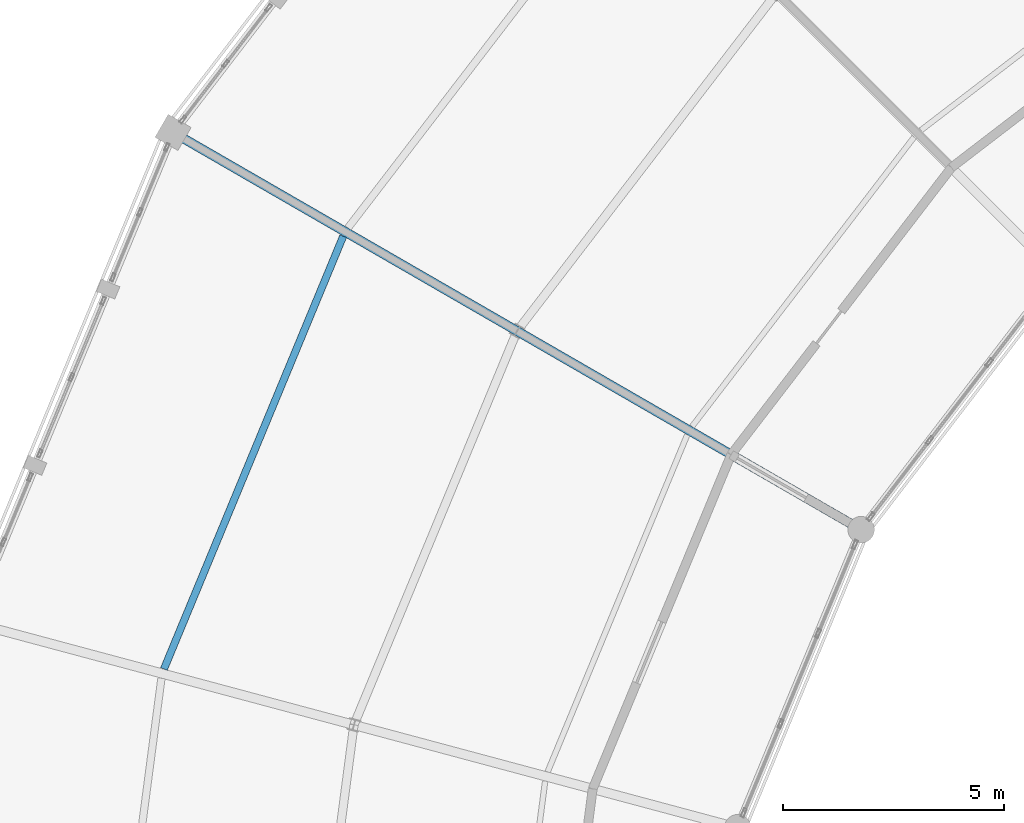
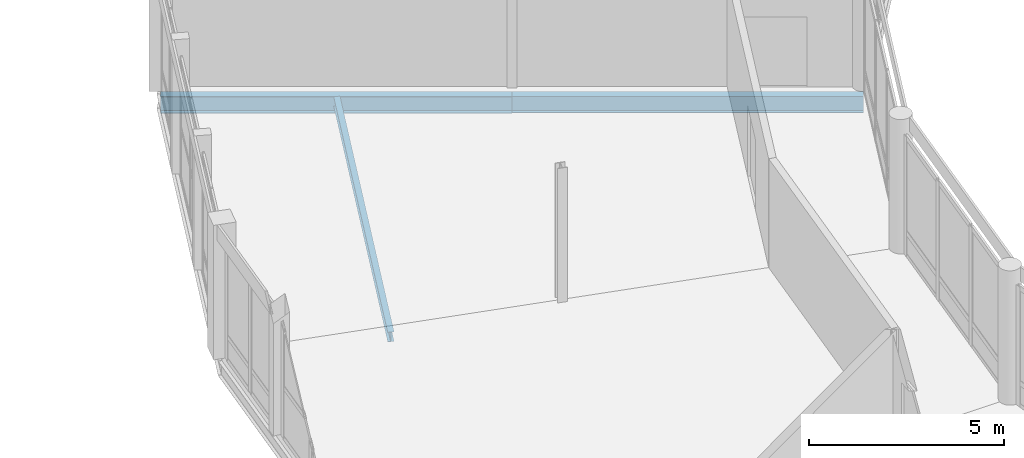
# One storey, part 76 of 185: 3 beams.
"""IFC4 building model written with IfcOpenShell, lengths in metres."""

from ifc_helpers import new_model, si_unit, direction, frame, origin, origin_2d, place, context, subcontext, project, spatial, i_section, extrude, material, material_profile, profile_set, type_object, element, save


model = new_model("IFC4")

# Units and contexts
model_context = context("Model", 3, precision=1e-05, world=origin(), true_north=direction((0.0, 1.0)))
body_context = subcontext(model_context, "Body", "Model", "MODEL_VIEW")
ifc_project = project(units=[si_unit("LENGTHUNIT", "METRE"), si_unit("AREAUNIT", "SQUARE_METRE"), si_unit("VOLUMEUNIT", "CUBIC_METRE"), si_unit("PLANEANGLEUNIT", "RADIAN"), si_unit("MASSUNIT", "GRAM", prefix="KILO")], contexts=[model_context])

# Site, building, storey
site_placement = place(None, origin())
site = spatial("IfcSite", under=ifc_project, at=site_placement, CompositionType="ELEMENT")
building_placement = place(site_placement, origin())
building = spatial("IfcBuilding", under=site, at=building_placement, Name="Vondelvale Polytechnic", CompositionType="ELEMENT")
storey_placement = place(building_placement, frame((0.0, 0.0, 9.60009765625)))
storey = spatial("IfcBuildingStorey", under=building, at=storey_placement, Name="L02", CompositionType="ELEMENT", Elevation=9.60009765625)

# Beams
ifc_material = material(Name="Steel 300PLUS (fy = 300 MPa)", Category="steel")
ifc_material_profile_1 = material_profile(ifc_material, i_section(OverallWidth=0.208984375, OverallDepth=0.532958984375, WebThickness=0.01025390625, FlangeThickness=0.015625, FilletRadius=0.013916015625, at=origin_2d()), Name="530UB92.4")
ifc_profile_set_1 = profile_set([ifc_material_profile_1], Name="Steel 300PLUS (fy = 300 MPa)")
beam_type_1 = type_object("IfcBeamType", Name="BM-UB530", PredefinedType="BEAM", material=ifc_profile_set_1)
beam_1_placement = place(storey_placement, frame((69.95703125, 90.5, -0.546630859375), z_axis=(-0.866024315419, 0.5000018851, 0.0), x_axis=(-0.5000018851, -0.866024315419, 0.0)))
element("IfcBeam", 1, at=beam_1_placement, inside=storey, type_object=beam_type_1, Name="L02 RG B-11", PredefinedType="BEAM", context=body_context, shape_type="SweptSolid", body=[
    extrude(i_section(OverallWidth=0.208984375, OverallDepth=0.532958984375, WebThickness=0.01025390625, FlangeThickness=0.015625, FilletRadius=0.013916015625, at=origin_2d()), origin(), (0.0, 0.0, 1.0), 9.0),
])
ifc_material_profile_2 = material_profile(ifc_material, i_section(OverallWidth=0.208984375, OverallDepth=0.528076171875, WebThickness=0.009521484375, FlangeThickness=0.01318359375, FilletRadius=0.013916015625, at=origin_2d()), Name="530UB82.0")
ifc_profile_set_2 = profile_set([ifc_material_profile_2], Name="Steel 300PLUS (fy = 300 MPa)")
beam_type_2 = type_object("IfcBeamType", Name="BM-UB530L", PredefinedType="BEAM", material=ifc_profile_set_2)
beam_2_placement = place(storey_placement, frame((77.751220703125, 86.0, -0.544189453125), z_axis=(-0.866024315419, 0.5000018851, 0.0), x_axis=(-0.5000018851, -0.866024315419, 0.0)))
element("IfcBeam", 2, at=beam_2_placement, inside=storey, type_object=beam_type_2, Name="L02 RG B-21", PredefinedType="BEAM", context=body_context, shape_type="SweptSolid", body=[
    extrude(i_section(OverallWidth=0.208984375, OverallDepth=0.528076171875, WebThickness=0.009521484375, FlangeThickness=0.01318359375, FilletRadius=0.013916015625, at=origin_2d()), origin(), (0.0, 0.0, 1.0), 9.0),
])
ifc_material_profile_3 = material_profile(ifc_material, i_section(OverallWidth=0.1650390625, OverallDepth=0.303955078125, WebThickness=0.006103515625, FlangeThickness=0.01025390625, FilletRadius=0.011474609375, at=origin_2d()), Name="310UB40.4")
ifc_profile_set_3 = profile_set([ifc_material_profile_3], Name="Steel 300PLUS (fy = 300 MPa)")
beam_type_3 = type_object("IfcBeamType", Name="JST-UB310", PredefinedType="JOIST", material=ifc_profile_set_3)
beam_3_placement = place(storey_placement, frame((66.017822265625, 92.6484375, -0.43212890625), z_axis=(-0.382666002839, -0.923886751865, 0.0), x_axis=(0.923886751865, -0.382666002839, 0.0)))
element("IfcBeam", 3, at=beam_3_placement, inside=storey, type_object=beam_type_3, Name="L02 RJ J-05", PredefinedType="JOIST", context=body_context, shape_type="SweptSolid", body=[
    extrude(i_section(OverallWidth=0.1650390625, OverallDepth=0.303955078125, WebThickness=0.006103515625, FlangeThickness=0.01025390625, FilletRadius=0.011474609375, at=origin_2d()), origin(), (0.0, 0.0, 1.0), 10.61376953125),
])

save(model, "model.ifc")
